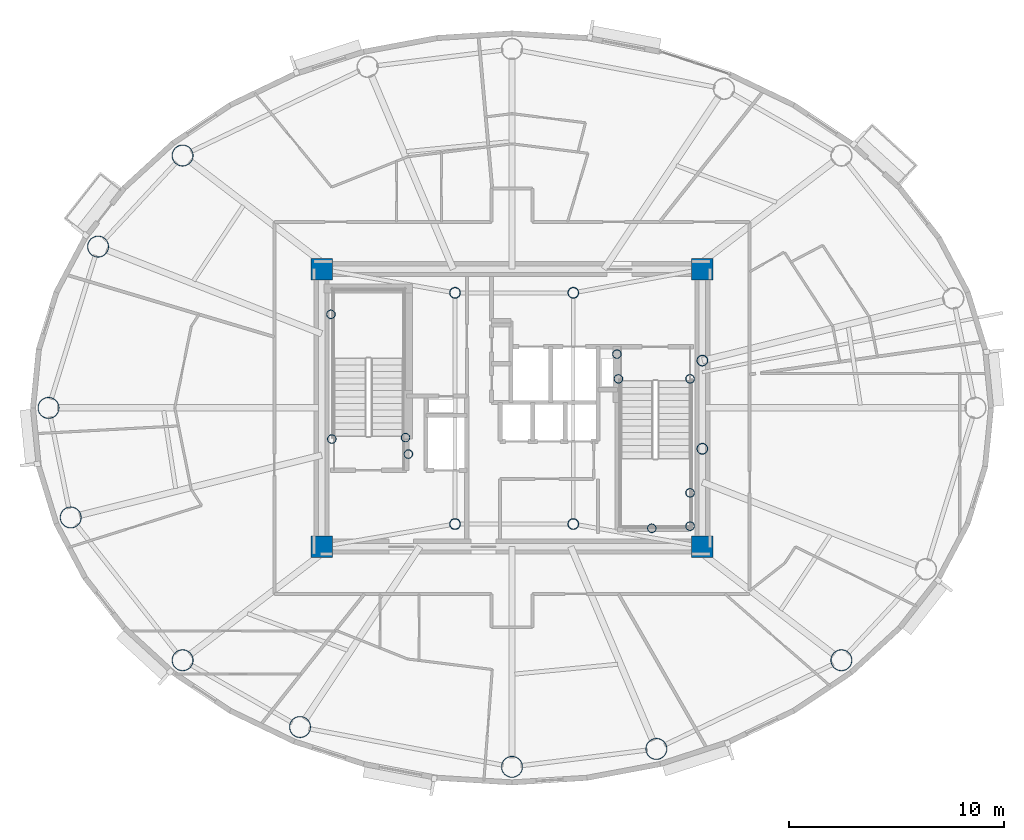
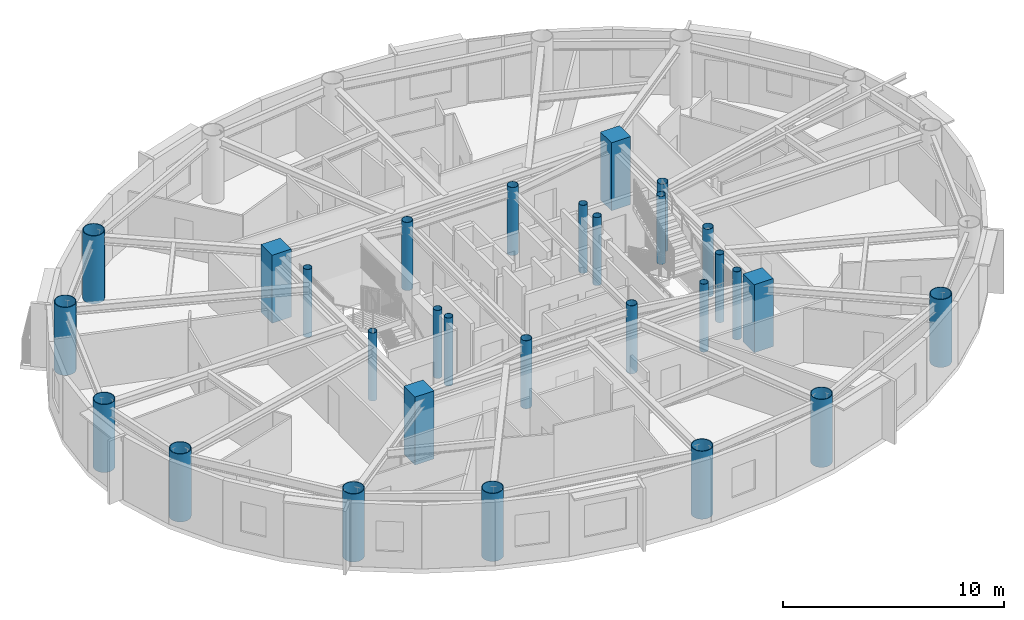
# One storey, part 1 of 17: 29 columns.
"""IFC4 building model written with IfcOpenShell, lengths in metres."""

from ifc_helpers import new_model, si_unit, direction, frame, origin, origin_2d, place, context, subcontext, project, spatial, rectangle, hollow_circle, extrude, material, material_profile, profile_set, type_object, element, save


model = new_model("IFC4")

# Units and contexts
model_context = context("Model", 3, precision=1e-05, world=origin(), true_north=direction((0.0, 1.0)))
body_context = subcontext(model_context, "Body", "Model", "MODEL_VIEW")
ifc_project = project(units=[si_unit("LENGTHUNIT", "METRE"), si_unit("AREAUNIT", "SQUARE_METRE"), si_unit("VOLUMEUNIT", "CUBIC_METRE"), si_unit("PLANEANGLEUNIT", "RADIAN"), si_unit("MASSUNIT", "GRAM", prefix="KILO")], contexts=[model_context])

# Site, building, storey
site_placement = place(None, origin())
site = spatial("IfcSite", under=ifc_project, at=site_placement, CompositionType="ELEMENT")
building_placement = place(site_placement, origin())
building = spatial("IfcBuilding", under=site, at=building_placement, Name="Linh Dai School and Residence Tower", CompositionType="ELEMENT")
storey_placement = place(building_placement, frame((0.0, 0.0, 276.75)))
storey = spatial("IfcBuildingStorey", under=building, at=storey_placement, Name="L68", CompositionType="ELEMENT", Elevation=276.75)

# Columns
ifc_material_1 = material(Name="Concrete B45 (C35/45)", Category="concrete")
ifc_material_profile_1 = material_profile(ifc_material_1, rectangle(XDim=1.0, YDim=1.0, at=origin_2d()), Name="RC 1000x1000")
ifc_profile_set_1 = profile_set([ifc_material_profile_1], Name="Concrete B45 (C35/45)")
column_type_1 = type_object("IfcColumnType", Name="COL-CC3", PredefinedType="COLUMN", material=ifc_profile_set_1)
for number, where, z_axis, x_axis, name in (
    (1, (27.14990234375, 20.550048828125, 0.0), (0.0, 0.0, 1.0), (1.0, 0.0, 0.0), "L68 Core Corner Pier CC1"),
    (2, (44.85009765625, 20.550048828125, 0.0), (0.0, 0.0, 1.0), (1.0, 0.0, 0.0), "L68 Core Corner Pier CC2"),
    (3, (44.85009765625, 33.449951171875, 0.0), (0.0, 0.0, 1.0), (1.0, 0.0, 0.0), "L68 Core Corner Pier CC3"),
    (4, (27.14990234375, 33.449951171875, 0.0), (0.0, 0.0, 1.0), (1.0, 0.0, 0.0), "L68 Core Corner Pier CC4"),
):
    element("IfcColumn", number, at=place(storey_placement, frame(where, z_axis=z_axis, x_axis=x_axis)), inside=storey, type_object=column_type_1, Name=name, PredefinedType="COLUMN", context=body_context, shape_type="SweptSolid", body=[
        extrude(rectangle(XDim=1.0, YDim=1.0, at=origin_2d()), origin(), (0.0, 0.0, 1.0), 3.75),
    ])
ifc_material_2 = material(Name="Structural Steel S355JR", Category="steel")
ifc_material_profile_2 = material_profile(ifc_material_2, hollow_circle(Radius=0.203125, WallThickness=0.01611328125, at=origin_2d()), Name="CHS 406.4x16")
ifc_profile_set_2 = profile_set([ifc_material_profile_2], Name="Structural Steel S355JR")
column_type_2 = type_object("IfcColumnType", Name="COL-EC", PredefinedType="COLUMN", material=ifc_profile_set_2)
for number, where, z_axis, x_axis, name in (
    (5, (27.580078125, 31.35009765625, 0.0), (0.0, 0.0, 1.0), (1.0, 0.0, 0.0), "L68 Stair Shaft Landing Support Pier ST1NW"),
    (6, (31.050048828125, 25.6201171875, 0.0), (0.0, 0.0, 1.0), (1.0, 0.0, 0.0), "L68 Stair Shaft Landing Support Pier ST1SE"),
    (7, (31.179931640625, 24.85009765625, 0.0), (0.0, 0.0, 1.0), (1.0, 0.0, 0.0), "L68 Stair Shaft Landing Support Pier ST1SM"),
    (8, (27.6201171875, 25.550048828125, 0.0), (0.0, 0.0, 1.0), (1.0, 0.0, 0.0), "L68 Stair Shaft Landing Support Pier ST1SW"),
    (9, (44.280029296875, 21.5, 0.0), (0.0, 0.0, 1.0), (1.0, 0.0, 0.0), "L68 Stair Shaft Landing Support Pier ST2SE"),
    (10, (44.280029296875, 23.050048828125, 0.0), (0.0, 0.0, 1.0), (1.0, 0.0, 0.0), "L68 Stair Shaft Landing Support Pier ST2NE"),
    (11, (42.5, 21.39990234375, 0.0), (0.0, 0.0, 1.0), (1.0, 0.0, 0.0), "L68 Stair Shaft Landing Support Pier ST2MS"),
    (12, (40.949951171875, 28.35009765625, 0.0), (0.0, 0.0, 1.0), (1.0, 0.0, 0.0), "L68 Stair Shaft Landing Support Pier ST2N1"),
    (13, (44.280029296875, 28.35009765625, 0.0), (0.0, 0.0, 1.0), (1.0, 0.0, 0.0), "L68 Stair Shaft Landing Support Pier ST2N2"),
    (14, (40.8798828125, 29.5, 0.0), (0.0, 0.0, 1.0), (1.0, 0.0, 0.0), "L68 Stair Shaft Landing Support Pier ST2N3"),
):
    element("IfcColumn", number, at=place(storey_placement, frame(where, z_axis=z_axis, x_axis=x_axis)), inside=storey, type_object=column_type_2, Name=name, PredefinedType="COLUMN", context=body_context, shape_type="SweptSolid", body=[
        extrude(hollow_circle(Radius=0.203125, WallThickness=0.01611328125, at=origin_2d()), origin(), (0.0, 0.0, 1.0), 3.75),
    ])
ifc_material_profile_3 = material_profile(ifc_material_2, hollow_circle(Radius=0.5, WallThickness=0.031982421875, at=origin_2d()), Name="CHS 1000x32")
ifc_profile_set_3 = profile_set([ifc_material_profile_3], Name="Structural Steel S355JR")
column_type_3 = type_object("IfcColumnType", Name="COL-MC6", PredefinedType="COLUMN", material=ifc_profile_set_3)
for number, where, z_axis, x_axis, name in (
    (15, (20.684814453125, 38.7333984375, 0.0), (0.0, 0.0, 1.0), (1.0, 0.0, 0.0), "L68 Perimeter CFT Mega-Column MC07"),
    (16, (16.75390625, 34.49951171875, 0.0), (0.0, 0.0, 1.0), (1.0, 0.0, 0.0), "L68 Perimeter CFT Mega-Column MC08"),
    (17, (14.449951171875, 27.0, 0.0), (0.0, 0.0, 1.0), (1.0, 0.0, 0.0), "L68 Perimeter CFT Mega-Column MC09"),
    (18, (15.4814453125, 21.905517578125, 0.0), (0.0, 0.0, 1.0), (1.0, 0.0, 0.0), "L68 Perimeter CFT Mega-Column MC10"),
    (19, (20.684814453125, 15.2666015625, 0.0), (0.0, 0.0, 1.0), (1.0, 0.0, 0.0), "L68 Perimeter CFT Mega-Column MC11"),
    (20, (26.1455078125, 12.1611328125, 0.0), (0.0, 0.0, 1.0), (1.0, 0.0, 0.0), "L68 Perimeter CFT Mega-Column MC12"),
    (21, (36.0, 10.31005859375, 0.0), (0.0, 0.0, 1.0), (1.0, 0.0, 0.0), "L68 Perimeter CFT Mega-Column MC13"),
    (22, (42.71240234375, 11.142333984375, 0.0), (0.0, 0.0, 1.0), (1.0, 0.0, 0.0), "L68 Perimeter CFT Mega-Column MC14"),
    (23, (51.315185546875, 15.2666015625, 0.0), (0.0, 0.0, 1.0), (1.0, 0.0, 0.0), "L68 Perimeter CFT Mega-Column MC15"),
):
    element("IfcColumn", number, at=place(storey_placement, frame(where, z_axis=z_axis, x_axis=x_axis)), inside=storey, type_object=column_type_3, Name=name, PredefinedType="COLUMN", context=body_context, shape_type="SweptSolid", body=[
        extrude(hollow_circle(Radius=0.5, WallThickness=0.031982421875, at=origin_2d()), origin(), (0.0, 0.0, 1.0), 3.75),
    ])
ifc_material_profile_4 = material_profile(ifc_material_2, hollow_circle(Radius=0.25390625, WallThickness=0.02001953125, at=origin_2d()), Name="CHS 508x20")
ifc_profile_set_4 = profile_set([ifc_material_profile_4], Name="Structural Steel S355JR")
column_type_4 = type_object("IfcColumnType", Name="COL-MCP", PredefinedType="COLUMN", material=ifc_profile_set_4)
for number, where, z_axis, x_axis, name in (
    (24, (33.35009765625, 21.60009765625, 0.0), (0.0, 0.0, 1.0), (1.0, 0.0, 0.0), "L68 Core Mast Support Pier MCP1"),
    (25, (38.85009765625, 21.60009765625, 0.0), (0.0, 0.0, 1.0), (1.0, 0.0, 0.0), "L68 Core Mast Support Pier MCP2"),
    (26, (38.85009765625, 32.35009765625, 0.0), (0.0, 0.0, 1.0), (1.0, 0.0, 0.0), "L68 Core Mast Support Pier MCP3"),
    (27, (33.35009765625, 32.35009765625, 0.0), (0.0, 0.0, 1.0), (1.0, 0.0, 0.0), "L68 Core Mast Support Pier MCP4"),
    (28, (44.85009765625, 25.10009765625, 0.0), (0.0, 0.0, 1.0), (1.0, 0.0, 0.0), "L68 Sky-Lounge Core Anchor Pier S"),
    (29, (44.85009765625, 29.199951171875, 0.0), (0.0, 0.0, 1.0), (1.0, 0.0, 0.0), "L68 Sky-Lounge Core Anchor Pier N"),
):
    element("IfcColumn", number, at=place(storey_placement, frame(where, z_axis=z_axis, x_axis=x_axis)), inside=storey, type_object=column_type_4, Name=name, PredefinedType="COLUMN", context=body_context, shape_type="SweptSolid", body=[
        extrude(hollow_circle(Radius=0.25390625, WallThickness=0.02001953125, at=origin_2d()), origin(), (0.0, 0.0, 1.0), 3.75),
    ])

save(model, "model.ifc")
